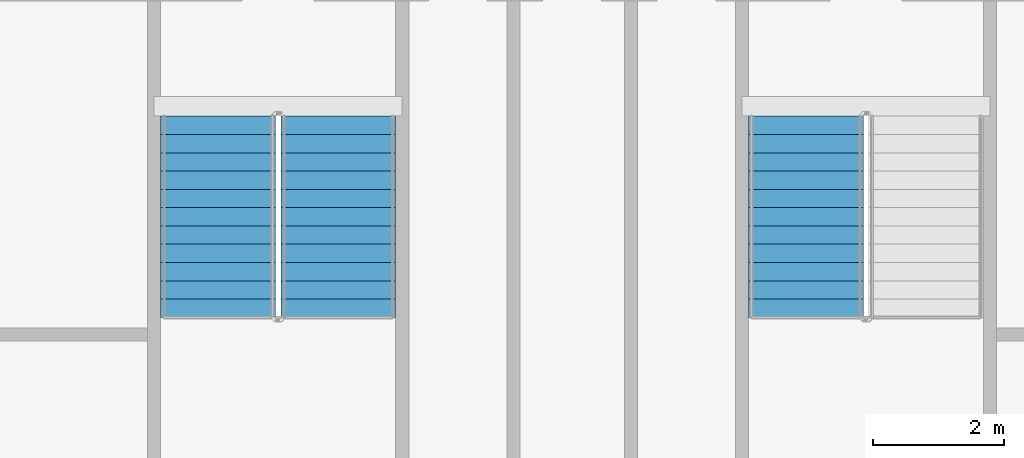
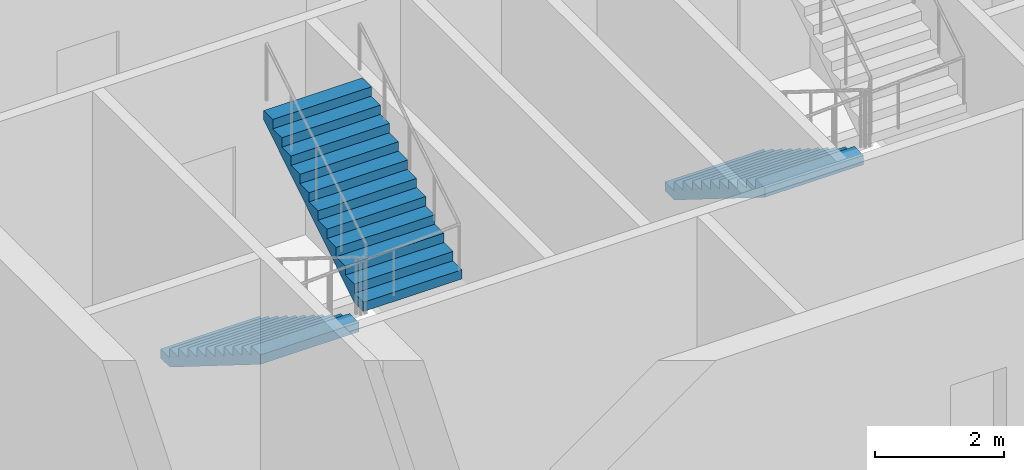
# One storey, part 21 of 28: 3 stair flights, 2 elements without a shape of their own.
"""IFC4 building model written with IfcOpenShell, lengths in metres."""

from ifc_helpers import new_model, si_unit, direction, frame, origin, place, context, subcontext, project, spatial, faceted_brep, material, type_object, element, aggregate, save


model = new_model("IFC4")

# Units and contexts
model_context = context("Model", 3, precision=1e-05, world=origin(), true_north=direction((0.0, 1.0)))
body_context = subcontext(model_context, "Body", "Model", "MODEL_VIEW")
ifc_project = project(units=[si_unit("LENGTHUNIT", "METRE"), si_unit("AREAUNIT", "SQUARE_METRE"), si_unit("VOLUMEUNIT", "CUBIC_METRE"), si_unit("PLANEANGLEUNIT", "RADIAN"), si_unit("MASSUNIT", "GRAM", prefix="KILO")], contexts=[model_context])

# Site, building, storey
site_placement = place(None, origin())
site = spatial("IfcSite", under=ifc_project, at=site_placement, CompositionType="ELEMENT")
building_placement = place(site_placement, origin())
building = spatial("IfcBuilding", under=site, at=building_placement, Name="Tarsis Ring Headquarters", CompositionType="ELEMENT")
storey_placement = place(building_placement, frame((0.0, 0.0, 381.800048828125)))
storey = spatial("IfcBuildingStorey", under=building, at=storey_placement, Name="L90", CompositionType="ELEMENT", Elevation=381.800048828125)

# Stair, stair flights
ifc_material_1 = material(Name="Core stair 1760")
stair_type = type_object("IfcStairType", Name="Core stair 1760", PredefinedType="HALF_TURN_STAIR", material=ifc_material_1)
stair_1_placement = place(storey_placement, origin())
stair_1 = element("IfcStair", 1, at=stair_1_placement, inside=storey, type_object=stair_type, Name="L90 Exit stair C", PredefinedType="HALF_TURN_STAIR")
ifc_material_2 = material(Name="Concrete C40/50", Category="concrete")
stair_flight_type = type_object("IfcStairFlightType", Name="Core stair flight 1760", PredefinedType="STRAIGHT", material=ifc_material_2)
stair_flight_1_placement = place(storey_placement, frame((-5.419921875, -3.659912109375, 0.0), z_axis=(0.0, 0.0, 1.0), x_axis=(0.0, -1.0, 0.0)))
stair_flight_1 = element("IfcStairFlight", 2, at=stair_flight_1_placement, type_object=stair_flight_type, Name="Stair ST3 flight 1", NumberOfRisers=12, NumberOfTreads=11, PredefinedType="STRAIGHT", RiserHeight=0.175, TreadLength=0.28, context=body_context, shape_type="Brep", body=[
    faceted_brep([(0.0, 0.8798828125, 0.0), (0.0, 0.8798828125, 0.175048828125), (0.280029296875, 0.8798828125, 0.175048828125), (0.280029296875, 0.8798828125, 0.35009765625), (0.56005859375, 0.8798828125, 0.35009765625), (0.56005859375, 0.8798828125, 0.52490234375), (0.840087890625, 0.8798828125, 0.52490234375), (0.840087890625, 0.8798828125, 0.699951171875), (1.1201171875, 0.8798828125, 0.699951171875), (1.1201171875, 0.8798828125, 0.875), (1.39990234375, 0.8798828125, 0.875), (1.39990234375, 0.8798828125, 1.050048828125), (1.679931640625, 0.8798828125, 1.050048828125), (1.679931640625, 0.8798828125, 1.22509765625), (1.9599609375, 0.8798828125, 1.22509765625), (1.9599609375, 0.8798828125, 1.39990234375), (2.239990234375, 0.8798828125, 1.39990234375), (2.239990234375, 0.8798828125, 1.574951171875), (2.52001953125, 0.8798828125, 1.574951171875), (2.52001953125, 0.8798828125, 1.75), (2.800048828125, 0.8798828125, 1.75), (2.800048828125, 0.8798828125, 1.925048828125), (3.080078125, 0.8798828125, 1.925048828125), (3.080078125, 0.8798828125, 1.748291015625), (0.28271484375, 0.8798828125, 0.0), (0.28271484375, -0.8798828125, 0.0), (3.080078125, -0.8798828125, 1.748291015625), (3.080078125, -0.8798828125, 1.925048828125), (2.800048828125, -0.8798828125, 1.925048828125), (2.800048828125, -0.8798828125, 1.75), (2.52001953125, -0.8798828125, 1.75), (2.52001953125, -0.8798828125, 1.574951171875), (2.239990234375, -0.8798828125, 1.574951171875), (2.239990234375, -0.8798828125, 1.39990234375), (1.9599609375, -0.8798828125, 1.39990234375), (1.9599609375, -0.8798828125, 1.22509765625), (1.679931640625, -0.8798828125, 1.22509765625), (1.679931640625, -0.8798828125, 1.050048828125), (1.39990234375, -0.8798828125, 1.050048828125), (1.39990234375, -0.8798828125, 0.875), (1.1201171875, -0.8798828125, 0.875), (1.1201171875, -0.8798828125, 0.699951171875), (0.840087890625, -0.8798828125, 0.699951171875), (0.840087890625, -0.8798828125, 0.52490234375), (0.56005859375, -0.8798828125, 0.52490234375), (0.56005859375, -0.8798828125, 0.35009765625), (0.280029296875, -0.8798828125, 0.35009765625), (0.280029296875, -0.8798828125, 0.175048828125), (0.0, -0.8798828125, 0.175048828125), (0.0, -0.8798828125, 0.0), (0.0, -0.43994140625, 0.175048828125), (0.0, -0.43994140625, 0.0), (0.0, 0.0, 0.175048828125), (0.0, 0.0, 0.0), (0.0, 0.43994140625, 0.175048828125), (0.0, 0.43994140625, 0.0), (0.280029296875, -0.43994140625, 0.175048828125), (0.280029296875, 0.0, 0.175048828125), (0.280029296875, 0.43994140625, 0.175048828125), (0.280029296875, -0.43994140625, 0.35009765625), (0.280029296875, 0.0, 0.35009765625), (0.280029296875, 0.43994140625, 0.35009765625), (0.56005859375, -0.43994140625, 0.35009765625), (0.56005859375, 0.0, 0.35009765625), (0.56005859375, 0.43994140625, 0.35009765625), (0.56005859375, -0.43994140625, 0.52490234375), (0.56005859375, 0.0, 0.52490234375), (0.56005859375, 0.43994140625, 0.52490234375), (0.840087890625, -0.43994140625, 0.52490234375), (0.840087890625, 0.0, 0.52490234375), (0.840087890625, 0.43994140625, 0.52490234375), (0.840087890625, -0.43994140625, 0.699951171875), (0.840087890625, 0.0, 0.699951171875), (0.840087890625, 0.43994140625, 0.699951171875), (1.1201171875, -0.43994140625, 0.699951171875), (1.1201171875, 0.0, 0.699951171875), (1.1201171875, 0.43994140625, 0.699951171875), (1.1201171875, -0.43994140625, 0.875), (1.1201171875, 0.0, 0.875), (1.1201171875, 0.43994140625, 0.875), (1.39990234375, -0.43994140625, 0.875), (1.39990234375, 0.0, 0.875), (1.39990234375, 0.43994140625, 0.875), (1.39990234375, -0.43994140625, 1.050048828125), (1.39990234375, 0.0, 1.050048828125), (1.39990234375, 0.43994140625, 1.050048828125), (1.679931640625, -0.43994140625, 1.050048828125), (1.679931640625, 0.0, 1.050048828125), (1.679931640625, 0.43994140625, 1.050048828125), (1.679931640625, -0.43994140625, 1.22509765625), (1.679931640625, 0.0, 1.22509765625), (1.679931640625, 0.43994140625, 1.22509765625), (1.9599609375, -0.43994140625, 1.22509765625), (1.9599609375, 0.0, 1.22509765625), (1.9599609375, 0.43994140625, 1.22509765625), (1.9599609375, -0.43994140625, 1.39990234375), (1.9599609375, 0.0, 1.39990234375), (1.9599609375, 0.43994140625, 1.39990234375), (2.239990234375, -0.43994140625, 1.39990234375), (2.239990234375, 0.0, 1.39990234375), (2.239990234375, 0.43994140625, 1.39990234375), (2.239990234375, -0.43994140625, 1.574951171875), (2.239990234375, 0.0, 1.574951171875), (2.239990234375, 0.43994140625, 1.574951171875), (2.52001953125, -0.43994140625, 1.574951171875), (2.52001953125, 0.0, 1.574951171875), (2.52001953125, 0.43994140625, 1.574951171875), (2.52001953125, -0.43994140625, 1.75), (2.52001953125, 0.0, 1.75), (2.52001953125, 0.43994140625, 1.75), (2.800048828125, -0.43994140625, 1.75), (2.800048828125, 0.0, 1.75), (2.800048828125, 0.43994140625, 1.75), (2.800048828125, -0.43994140625, 1.925048828125), (2.800048828125, 0.0, 1.925048828125), (2.800048828125, 0.43994140625, 1.925048828125), (3.080078125, -0.43994140625, 1.925048828125), (3.080078125, 0.0, 1.925048828125), (3.080078125, 0.43994140625, 1.925048828125), (3.080078125, -0.43994140625, 1.748291015625), (3.080078125, 0.0, 1.748291015625), (3.080078125, 0.43994140625, 1.748291015625), (0.28271484375, -0.43994140625, 0.0), (0.28271484375, 0.0, 0.0), (0.28271484375, 0.43994140625, 0.0)], [[[0, 1, 2, 3, 4, 5, 6, 7, 8, 9, 10, 11, 12, 13, 14, 15, 16, 17, 18, 19, 20, 21, 22, 23, 24]], [[25, 26, 27, 28, 29, 30, 31, 32, 33, 34, 35, 36, 37, 38, 39, 40, 41, 42, 43, 44, 45, 46, 47, 48, 49]], [[49, 48, 50, 51]], [[51, 50, 52, 53]], [[53, 52, 54, 55]], [[55, 54, 1, 0]], [[48, 47, 56, 50]], [[50, 56, 57, 52]], [[52, 57, 58, 54]], [[54, 58, 2, 1]], [[47, 46, 59, 56]], [[56, 59, 60, 57]], [[57, 60, 61, 58]], [[58, 61, 3, 2]], [[46, 45, 62, 59]], [[59, 62, 63, 60]], [[60, 63, 64, 61]], [[61, 64, 4, 3]], [[45, 44, 65, 62]], [[62, 65, 66, 63]], [[63, 66, 67, 64]], [[64, 67, 5, 4]], [[44, 43, 68, 65]], [[65, 68, 69, 66]], [[66, 69, 70, 67]], [[67, 70, 6, 5]], [[43, 42, 71, 68]], [[68, 71, 72, 69]], [[69, 72, 73, 70]], [[70, 73, 7, 6]], [[42, 41, 74, 71]], [[71, 74, 75, 72]], [[72, 75, 76, 73]], [[73, 76, 8, 7]], [[41, 40, 77, 74]], [[74, 77, 78, 75]], [[75, 78, 79, 76]], [[76, 79, 9, 8]], [[40, 39, 80, 77]], [[77, 80, 81, 78]], [[78, 81, 82, 79]], [[79, 82, 10, 9]], [[39, 38, 83, 80]], [[80, 83, 84, 81]], [[81, 84, 85, 82]], [[82, 85, 11, 10]], [[38, 37, 86, 83]], [[83, 86, 87, 84]], [[84, 87, 88, 85]], [[85, 88, 12, 11]], [[37, 36, 89, 86]], [[86, 89, 90, 87]], [[87, 90, 91, 88]], [[88, 91, 13, 12]], [[36, 35, 92, 89]], [[89, 92, 93, 90]], [[90, 93, 94, 91]], [[91, 94, 14, 13]], [[35, 34, 95, 92]], [[92, 95, 96, 93]], [[93, 96, 97, 94]], [[94, 97, 15, 14]], [[34, 33, 98, 95]], [[95, 98, 99, 96]], [[96, 99, 100, 97]], [[97, 100, 16, 15]], [[33, 32, 101, 98]], [[98, 101, 102, 99]], [[99, 102, 103, 100]], [[100, 103, 17, 16]], [[32, 31, 104, 101]], [[101, 104, 105, 102]], [[102, 105, 106, 103]], [[103, 106, 18, 17]], [[31, 30, 107, 104]], [[104, 107, 108, 105]], [[105, 108, 109, 106]], [[106, 109, 19, 18]], [[30, 29, 110, 107]], [[107, 110, 111, 108]], [[108, 111, 112, 109]], [[109, 112, 20, 19]], [[29, 28, 113, 110]], [[110, 113, 114, 111]], [[111, 114, 115, 112]], [[112, 115, 21, 20]], [[28, 27, 116, 113]], [[113, 116, 117, 114]], [[114, 117, 118, 115]], [[115, 118, 22, 21]], [[27, 26, 119, 116]], [[116, 119, 120, 117]], [[117, 120, 121, 118]], [[118, 121, 23, 22]], [[26, 25, 122, 119]], [[119, 122, 123, 120]], [[120, 123, 124, 121]], [[121, 124, 24, 23]], [[25, 49, 51, 122]], [[122, 51, 53, 123]], [[123, 53, 55, 124]], [[124, 55, 0, 24]]]),
])
stair_flight_2_placement = place(storey_placement, frame((-3.580078125, -6.739990234375, 2.099853515625), z_axis=(0.0, 0.0, 1.0), x_axis=(0.0, 1.0, 0.0)))
stair_flight_2 = element("IfcStairFlight", 3, at=stair_flight_2_placement, type_object=stair_flight_type, Name="Stair ST3 flight 2", NumberOfRisers=12, NumberOfTreads=11, PredefinedType="STRAIGHT", RiserHeight=0.175, TreadLength=0.28, context=body_context, shape_type="Brep", body=[
    faceted_brep([(0.0, 0.8798828125, 0.0), (0.0, 0.8798828125, 0.175048828125), (0.280029296875, 0.8798828125, 0.175048828125), (0.280029296875, 0.8798828125, 0.35009765625), (0.56005859375, 0.8798828125, 0.35009765625), (0.56005859375, 0.8798828125, 0.52490234375), (0.840087890625, 0.8798828125, 0.52490234375), (0.840087890625, 0.8798828125, 0.699951171875), (1.1201171875, 0.8798828125, 0.699951171875), (1.1201171875, 0.8798828125, 0.875), (1.39990234375, 0.8798828125, 0.875), (1.39990234375, 0.8798828125, 1.050048828125), (1.679931640625, 0.8798828125, 1.050048828125), (1.679931640625, 0.8798828125, 1.22509765625), (1.9599609375, 0.8798828125, 1.22509765625), (1.9599609375, 0.8798828125, 1.39990234375), (2.239990234375, 0.8798828125, 1.39990234375), (2.239990234375, 0.8798828125, 1.574951171875), (2.52001953125, 0.8798828125, 1.574951171875), (2.52001953125, 0.8798828125, 1.75), (2.800048828125, 0.8798828125, 1.75), (2.800048828125, 0.8798828125, 1.925048828125), (3.080078125, 0.8798828125, 1.925048828125), (3.080078125, 0.8798828125, 1.748291015625), (0.28271484375, 0.8798828125, 0.0), (0.28271484375, -0.8798828125, 0.0), (3.080078125, -0.8798828125, 1.748291015625), (3.080078125, -0.8798828125, 1.925048828125), (2.800048828125, -0.8798828125, 1.925048828125), (2.800048828125, -0.8798828125, 1.75), (2.52001953125, -0.8798828125, 1.75), (2.52001953125, -0.8798828125, 1.574951171875), (2.239990234375, -0.8798828125, 1.574951171875), (2.239990234375, -0.8798828125, 1.39990234375), (1.9599609375, -0.8798828125, 1.39990234375), (1.9599609375, -0.8798828125, 1.22509765625), (1.679931640625, -0.8798828125, 1.22509765625), (1.679931640625, -0.8798828125, 1.050048828125), (1.39990234375, -0.8798828125, 1.050048828125), (1.39990234375, -0.8798828125, 0.875), (1.1201171875, -0.8798828125, 0.875), (1.1201171875, -0.8798828125, 0.699951171875), (0.840087890625, -0.8798828125, 0.699951171875), (0.840087890625, -0.8798828125, 0.52490234375), (0.56005859375, -0.8798828125, 0.52490234375), (0.56005859375, -0.8798828125, 0.35009765625), (0.280029296875, -0.8798828125, 0.35009765625), (0.280029296875, -0.8798828125, 0.175048828125), (0.0, -0.8798828125, 0.175048828125), (0.0, -0.8798828125, 0.0), (0.0, -0.43994140625, 0.175048828125), (0.0, -0.43994140625, 0.0), (0.0, 0.0, 0.175048828125), (0.0, 0.0, 0.0), (0.0, 0.43994140625, 0.175048828125), (0.0, 0.43994140625, 0.0), (0.280029296875, -0.43994140625, 0.175048828125), (0.280029296875, 0.0, 0.175048828125), (0.280029296875, 0.43994140625, 0.175048828125), (0.280029296875, -0.43994140625, 0.35009765625), (0.280029296875, 0.0, 0.35009765625), (0.280029296875, 0.43994140625, 0.35009765625), (0.56005859375, -0.43994140625, 0.35009765625), (0.56005859375, 0.0, 0.35009765625), (0.56005859375, 0.43994140625, 0.35009765625), (0.56005859375, -0.43994140625, 0.52490234375), (0.56005859375, 0.0, 0.52490234375), (0.56005859375, 0.43994140625, 0.52490234375), (0.840087890625, -0.43994140625, 0.52490234375), (0.840087890625, 0.0, 0.52490234375), (0.840087890625, 0.43994140625, 0.52490234375), (0.840087890625, -0.43994140625, 0.699951171875), (0.840087890625, 0.0, 0.699951171875), (0.840087890625, 0.43994140625, 0.699951171875), (1.1201171875, -0.43994140625, 0.699951171875), (1.1201171875, 0.0, 0.699951171875), (1.1201171875, 0.43994140625, 0.699951171875), (1.1201171875, -0.43994140625, 0.875), (1.1201171875, 0.0, 0.875), (1.1201171875, 0.43994140625, 0.875), (1.39990234375, -0.43994140625, 0.875), (1.39990234375, 0.0, 0.875), (1.39990234375, 0.43994140625, 0.875), (1.39990234375, -0.43994140625, 1.050048828125), (1.39990234375, 0.0, 1.050048828125), (1.39990234375, 0.43994140625, 1.050048828125), (1.679931640625, -0.43994140625, 1.050048828125), (1.679931640625, 0.0, 1.050048828125), (1.679931640625, 0.43994140625, 1.050048828125), (1.679931640625, -0.43994140625, 1.22509765625), (1.679931640625, 0.0, 1.22509765625), (1.679931640625, 0.43994140625, 1.22509765625), (1.9599609375, -0.43994140625, 1.22509765625), (1.9599609375, 0.0, 1.22509765625), (1.9599609375, 0.43994140625, 1.22509765625), (1.9599609375, -0.43994140625, 1.39990234375), (1.9599609375, 0.0, 1.39990234375), (1.9599609375, 0.43994140625, 1.39990234375), (2.239990234375, -0.43994140625, 1.39990234375), (2.239990234375, 0.0, 1.39990234375), (2.239990234375, 0.43994140625, 1.39990234375), (2.239990234375, -0.43994140625, 1.574951171875), (2.239990234375, 0.0, 1.574951171875), (2.239990234375, 0.43994140625, 1.574951171875), (2.52001953125, -0.43994140625, 1.574951171875), (2.52001953125, 0.0, 1.574951171875), (2.52001953125, 0.43994140625, 1.574951171875), (2.52001953125, -0.43994140625, 1.75), (2.52001953125, 0.0, 1.75), (2.52001953125, 0.43994140625, 1.75), (2.800048828125, -0.43994140625, 1.75), (2.800048828125, 0.0, 1.75), (2.800048828125, 0.43994140625, 1.75), (2.800048828125, -0.43994140625, 1.925048828125), (2.800048828125, 0.0, 1.925048828125), (2.800048828125, 0.43994140625, 1.925048828125), (3.080078125, -0.43994140625, 1.925048828125), (3.080078125, 0.0, 1.925048828125), (3.080078125, 0.43994140625, 1.925048828125), (3.080078125, -0.43994140625, 1.748291015625), (3.080078125, 0.0, 1.748291015625), (3.080078125, 0.43994140625, 1.748291015625), (0.28271484375, -0.43994140625, 0.0), (0.28271484375, 0.0, 0.0), (0.28271484375, 0.43994140625, 0.0)], [[[0, 1, 2, 3, 4, 5, 6, 7, 8, 9, 10, 11, 12, 13, 14, 15, 16, 17, 18, 19, 20, 21, 22, 23, 24]], [[25, 26, 27, 28, 29, 30, 31, 32, 33, 34, 35, 36, 37, 38, 39, 40, 41, 42, 43, 44, 45, 46, 47, 48, 49]], [[49, 48, 50, 51]], [[51, 50, 52, 53]], [[53, 52, 54, 55]], [[55, 54, 1, 0]], [[48, 47, 56, 50]], [[50, 56, 57, 52]], [[52, 57, 58, 54]], [[54, 58, 2, 1]], [[47, 46, 59, 56]], [[56, 59, 60, 57]], [[57, 60, 61, 58]], [[58, 61, 3, 2]], [[46, 45, 62, 59]], [[59, 62, 63, 60]], [[60, 63, 64, 61]], [[61, 64, 4, 3]], [[45, 44, 65, 62]], [[62, 65, 66, 63]], [[63, 66, 67, 64]], [[64, 67, 5, 4]], [[44, 43, 68, 65]], [[65, 68, 69, 66]], [[66, 69, 70, 67]], [[67, 70, 6, 5]], [[43, 42, 71, 68]], [[68, 71, 72, 69]], [[69, 72, 73, 70]], [[70, 73, 7, 6]], [[42, 41, 74, 71]], [[71, 74, 75, 72]], [[72, 75, 76, 73]], [[73, 76, 8, 7]], [[41, 40, 77, 74]], [[74, 77, 78, 75]], [[75, 78, 79, 76]], [[76, 79, 9, 8]], [[40, 39, 80, 77]], [[77, 80, 81, 78]], [[78, 81, 82, 79]], [[79, 82, 10, 9]], [[39, 38, 83, 80]], [[80, 83, 84, 81]], [[81, 84, 85, 82]], [[82, 85, 11, 10]], [[38, 37, 86, 83]], [[83, 86, 87, 84]], [[84, 87, 88, 85]], [[85, 88, 12, 11]], [[37, 36, 89, 86]], [[86, 89, 90, 87]], [[87, 90, 91, 88]], [[88, 91, 13, 12]], [[36, 35, 92, 89]], [[89, 92, 93, 90]], [[90, 93, 94, 91]], [[91, 94, 14, 13]], [[35, 34, 95, 92]], [[92, 95, 96, 93]], [[93, 96, 97, 94]], [[94, 97, 15, 14]], [[34, 33, 98, 95]], [[95, 98, 99, 96]], [[96, 99, 100, 97]], [[97, 100, 16, 15]], [[33, 32, 101, 98]], [[98, 101, 102, 99]], [[99, 102, 103, 100]], [[100, 103, 17, 16]], [[32, 31, 104, 101]], [[101, 104, 105, 102]], [[102, 105, 106, 103]], [[103, 106, 18, 17]], [[31, 30, 107, 104]], [[104, 107, 108, 105]], [[105, 108, 109, 106]], [[106, 109, 19, 18]], [[30, 29, 110, 107]], [[107, 110, 111, 108]], [[108, 111, 112, 109]], [[109, 112, 20, 19]], [[29, 28, 113, 110]], [[110, 113, 114, 111]], [[111, 114, 115, 112]], [[112, 115, 21, 20]], [[28, 27, 116, 113]], [[113, 116, 117, 114]], [[114, 117, 118, 115]], [[115, 118, 22, 21]], [[27, 26, 119, 116]], [[116, 119, 120, 117]], [[117, 120, 121, 118]], [[118, 121, 23, 22]], [[26, 25, 122, 119]], [[119, 122, 123, 120]], [[120, 123, 124, 121]], [[121, 124, 24, 23]], [[25, 49, 51, 122]], [[122, 51, 53, 123]], [[123, 53, 55, 124]], [[124, 55, 0, 24]]]),
])
aggregate(stair_1, [stair_flight_1, stair_flight_2])

# Stair, stair flight
stair_2_placement = place(storey_placement, origin())
stair_2 = element("IfcStair", 4, at=stair_2_placement, inside=storey, type_object=stair_type, Name="L90 Exit stair D", PredefinedType="HALF_TURN_STAIR")
stair_flight_3_placement = place(storey_placement, frame((3.580078125, -3.659912109375, 0.0), z_axis=(0.0, 0.0, 1.0), x_axis=(0.0, -1.0, 0.0)))
stair_flight_3 = element("IfcStairFlight", 5, at=stair_flight_3_placement, type_object=stair_flight_type, Name="Stair ST4 flight 1", NumberOfRisers=12, NumberOfTreads=11, PredefinedType="STRAIGHT", RiserHeight=0.175, TreadLength=0.28, context=body_context, shape_type="Brep", body=[
    faceted_brep([(0.0, 0.8798828125, 0.0), (0.0, 0.8798828125, 0.175048828125), (0.280029296875, 0.8798828125, 0.175048828125), (0.280029296875, 0.8798828125, 0.35009765625), (0.56005859375, 0.8798828125, 0.35009765625), (0.56005859375, 0.8798828125, 0.52490234375), (0.840087890625, 0.8798828125, 0.52490234375), (0.840087890625, 0.8798828125, 0.699951171875), (1.1201171875, 0.8798828125, 0.699951171875), (1.1201171875, 0.8798828125, 0.875), (1.39990234375, 0.8798828125, 0.875), (1.39990234375, 0.8798828125, 1.050048828125), (1.679931640625, 0.8798828125, 1.050048828125), (1.679931640625, 0.8798828125, 1.22509765625), (1.9599609375, 0.8798828125, 1.22509765625), (1.9599609375, 0.8798828125, 1.39990234375), (2.239990234375, 0.8798828125, 1.39990234375), (2.239990234375, 0.8798828125, 1.574951171875), (2.52001953125, 0.8798828125, 1.574951171875), (2.52001953125, 0.8798828125, 1.75), (2.800048828125, 0.8798828125, 1.75), (2.800048828125, 0.8798828125, 1.925048828125), (3.080078125, 0.8798828125, 1.925048828125), (3.080078125, 0.8798828125, 1.748291015625), (0.28271484375, 0.8798828125, 0.0), (0.28271484375, -0.8798828125, 0.0), (3.080078125, -0.8798828125, 1.748291015625), (3.080078125, -0.8798828125, 1.925048828125), (2.800048828125, -0.8798828125, 1.925048828125), (2.800048828125, -0.8798828125, 1.75), (2.52001953125, -0.8798828125, 1.75), (2.52001953125, -0.8798828125, 1.574951171875), (2.239990234375, -0.8798828125, 1.574951171875), (2.239990234375, -0.8798828125, 1.39990234375), (1.9599609375, -0.8798828125, 1.39990234375), (1.9599609375, -0.8798828125, 1.22509765625), (1.679931640625, -0.8798828125, 1.22509765625), (1.679931640625, -0.8798828125, 1.050048828125), (1.39990234375, -0.8798828125, 1.050048828125), (1.39990234375, -0.8798828125, 0.875), (1.1201171875, -0.8798828125, 0.875), (1.1201171875, -0.8798828125, 0.699951171875), (0.840087890625, -0.8798828125, 0.699951171875), (0.840087890625, -0.8798828125, 0.52490234375), (0.56005859375, -0.8798828125, 0.52490234375), (0.56005859375, -0.8798828125, 0.35009765625), (0.280029296875, -0.8798828125, 0.35009765625), (0.280029296875, -0.8798828125, 0.175048828125), (0.0, -0.8798828125, 0.175048828125), (0.0, -0.8798828125, 0.0), (0.0, -0.43994140625, 0.175048828125), (0.0, -0.43994140625, 0.0), (0.0, 0.0, 0.175048828125), (0.0, 0.0, 0.0), (0.0, 0.43994140625, 0.175048828125), (0.0, 0.43994140625, 0.0), (0.280029296875, -0.43994140625, 0.175048828125), (0.280029296875, 0.0, 0.175048828125), (0.280029296875, 0.43994140625, 0.175048828125), (0.280029296875, -0.43994140625, 0.35009765625), (0.280029296875, 0.0, 0.35009765625), (0.280029296875, 0.43994140625, 0.35009765625), (0.56005859375, -0.43994140625, 0.35009765625), (0.56005859375, 0.0, 0.35009765625), (0.56005859375, 0.43994140625, 0.35009765625), (0.56005859375, -0.43994140625, 0.52490234375), (0.56005859375, 0.0, 0.52490234375), (0.56005859375, 0.43994140625, 0.52490234375), (0.840087890625, -0.43994140625, 0.52490234375), (0.840087890625, 0.0, 0.52490234375), (0.840087890625, 0.43994140625, 0.52490234375), (0.840087890625, -0.43994140625, 0.699951171875), (0.840087890625, 0.0, 0.699951171875), (0.840087890625, 0.43994140625, 0.699951171875), (1.1201171875, -0.43994140625, 0.699951171875), (1.1201171875, 0.0, 0.699951171875), (1.1201171875, 0.43994140625, 0.699951171875), (1.1201171875, -0.43994140625, 0.875), (1.1201171875, 0.0, 0.875), (1.1201171875, 0.43994140625, 0.875), (1.39990234375, -0.43994140625, 0.875), (1.39990234375, 0.0, 0.875), (1.39990234375, 0.43994140625, 0.875), (1.39990234375, -0.43994140625, 1.050048828125), (1.39990234375, 0.0, 1.050048828125), (1.39990234375, 0.43994140625, 1.050048828125), (1.679931640625, -0.43994140625, 1.050048828125), (1.679931640625, 0.0, 1.050048828125), (1.679931640625, 0.43994140625, 1.050048828125), (1.679931640625, -0.43994140625, 1.22509765625), (1.679931640625, 0.0, 1.22509765625), (1.679931640625, 0.43994140625, 1.22509765625), (1.9599609375, -0.43994140625, 1.22509765625), (1.9599609375, 0.0, 1.22509765625), (1.9599609375, 0.43994140625, 1.22509765625), (1.9599609375, -0.43994140625, 1.39990234375), (1.9599609375, 0.0, 1.39990234375), (1.9599609375, 0.43994140625, 1.39990234375), (2.239990234375, -0.43994140625, 1.39990234375), (2.239990234375, 0.0, 1.39990234375), (2.239990234375, 0.43994140625, 1.39990234375), (2.239990234375, -0.43994140625, 1.574951171875), (2.239990234375, 0.0, 1.574951171875), (2.239990234375, 0.43994140625, 1.574951171875), (2.52001953125, -0.43994140625, 1.574951171875), (2.52001953125, 0.0, 1.574951171875), (2.52001953125, 0.43994140625, 1.574951171875), (2.52001953125, -0.43994140625, 1.75), (2.52001953125, 0.0, 1.75), (2.52001953125, 0.43994140625, 1.75), (2.800048828125, -0.43994140625, 1.75), (2.800048828125, 0.0, 1.75), (2.800048828125, 0.43994140625, 1.75), (2.800048828125, -0.43994140625, 1.925048828125), (2.800048828125, 0.0, 1.925048828125), (2.800048828125, 0.43994140625, 1.925048828125), (3.080078125, -0.43994140625, 1.925048828125), (3.080078125, 0.0, 1.925048828125), (3.080078125, 0.43994140625, 1.925048828125), (3.080078125, -0.43994140625, 1.748291015625), (3.080078125, 0.0, 1.748291015625), (3.080078125, 0.43994140625, 1.748291015625), (0.28271484375, -0.43994140625, 0.0), (0.28271484375, 0.0, 0.0), (0.28271484375, 0.43994140625, 0.0)], [[[0, 1, 2, 3, 4, 5, 6, 7, 8, 9, 10, 11, 12, 13, 14, 15, 16, 17, 18, 19, 20, 21, 22, 23, 24]], [[25, 26, 27, 28, 29, 30, 31, 32, 33, 34, 35, 36, 37, 38, 39, 40, 41, 42, 43, 44, 45, 46, 47, 48, 49]], [[49, 48, 50, 51]], [[51, 50, 52, 53]], [[53, 52, 54, 55]], [[55, 54, 1, 0]], [[48, 47, 56, 50]], [[50, 56, 57, 52]], [[52, 57, 58, 54]], [[54, 58, 2, 1]], [[47, 46, 59, 56]], [[56, 59, 60, 57]], [[57, 60, 61, 58]], [[58, 61, 3, 2]], [[46, 45, 62, 59]], [[59, 62, 63, 60]], [[60, 63, 64, 61]], [[61, 64, 4, 3]], [[45, 44, 65, 62]], [[62, 65, 66, 63]], [[63, 66, 67, 64]], [[64, 67, 5, 4]], [[44, 43, 68, 65]], [[65, 68, 69, 66]], [[66, 69, 70, 67]], [[67, 70, 6, 5]], [[43, 42, 71, 68]], [[68, 71, 72, 69]], [[69, 72, 73, 70]], [[70, 73, 7, 6]], [[42, 41, 74, 71]], [[71, 74, 75, 72]], [[72, 75, 76, 73]], [[73, 76, 8, 7]], [[41, 40, 77, 74]], [[74, 77, 78, 75]], [[75, 78, 79, 76]], [[76, 79, 9, 8]], [[40, 39, 80, 77]], [[77, 80, 81, 78]], [[78, 81, 82, 79]], [[79, 82, 10, 9]], [[39, 38, 83, 80]], [[80, 83, 84, 81]], [[81, 84, 85, 82]], [[82, 85, 11, 10]], [[38, 37, 86, 83]], [[83, 86, 87, 84]], [[84, 87, 88, 85]], [[85, 88, 12, 11]], [[37, 36, 89, 86]], [[86, 89, 90, 87]], [[87, 90, 91, 88]], [[88, 91, 13, 12]], [[36, 35, 92, 89]], [[89, 92, 93, 90]], [[90, 93, 94, 91]], [[91, 94, 14, 13]], [[35, 34, 95, 92]], [[92, 95, 96, 93]], [[93, 96, 97, 94]], [[94, 97, 15, 14]], [[34, 33, 98, 95]], [[95, 98, 99, 96]], [[96, 99, 100, 97]], [[97, 100, 16, 15]], [[33, 32, 101, 98]], [[98, 101, 102, 99]], [[99, 102, 103, 100]], [[100, 103, 17, 16]], [[32, 31, 104, 101]], [[101, 104, 105, 102]], [[102, 105, 106, 103]], [[103, 106, 18, 17]], [[31, 30, 107, 104]], [[104, 107, 108, 105]], [[105, 108, 109, 106]], [[106, 109, 19, 18]], [[30, 29, 110, 107]], [[107, 110, 111, 108]], [[108, 111, 112, 109]], [[109, 112, 20, 19]], [[29, 28, 113, 110]], [[110, 113, 114, 111]], [[111, 114, 115, 112]], [[112, 115, 21, 20]], [[28, 27, 116, 113]], [[113, 116, 117, 114]], [[114, 117, 118, 115]], [[115, 118, 22, 21]], [[27, 26, 119, 116]], [[116, 119, 120, 117]], [[117, 120, 121, 118]], [[118, 121, 23, 22]], [[26, 25, 122, 119]], [[119, 122, 123, 120]], [[120, 123, 124, 121]], [[121, 124, 24, 23]], [[25, 49, 51, 122]], [[122, 51, 53, 123]], [[123, 53, 55, 124]], [[124, 55, 0, 24]]]),
])
aggregate(stair_2, [stair_flight_3])

save(model, "model.ifc")
